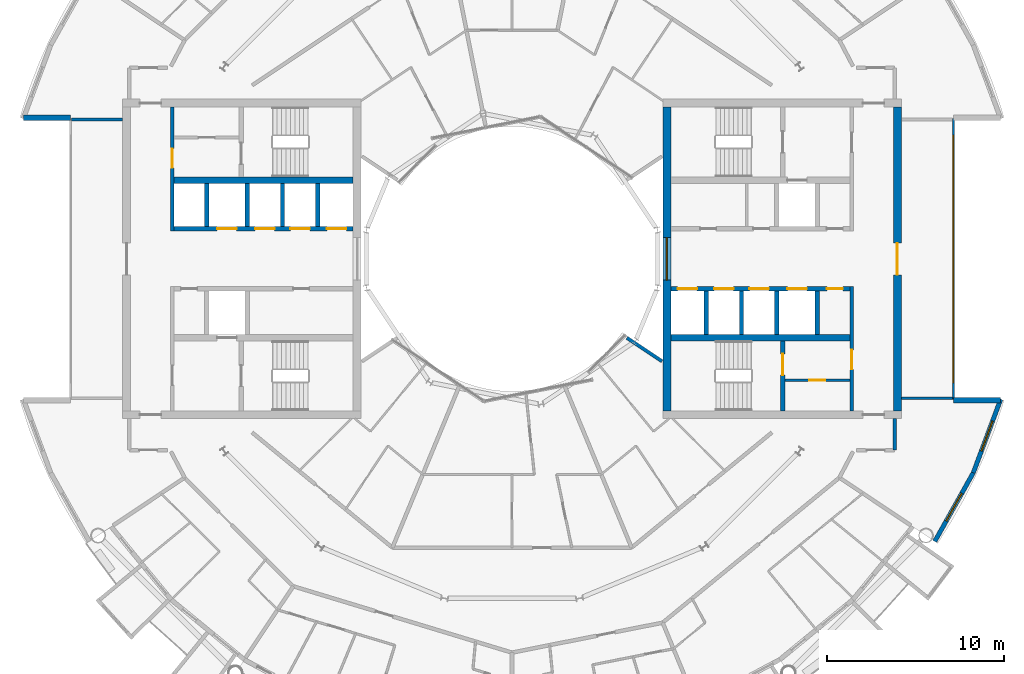
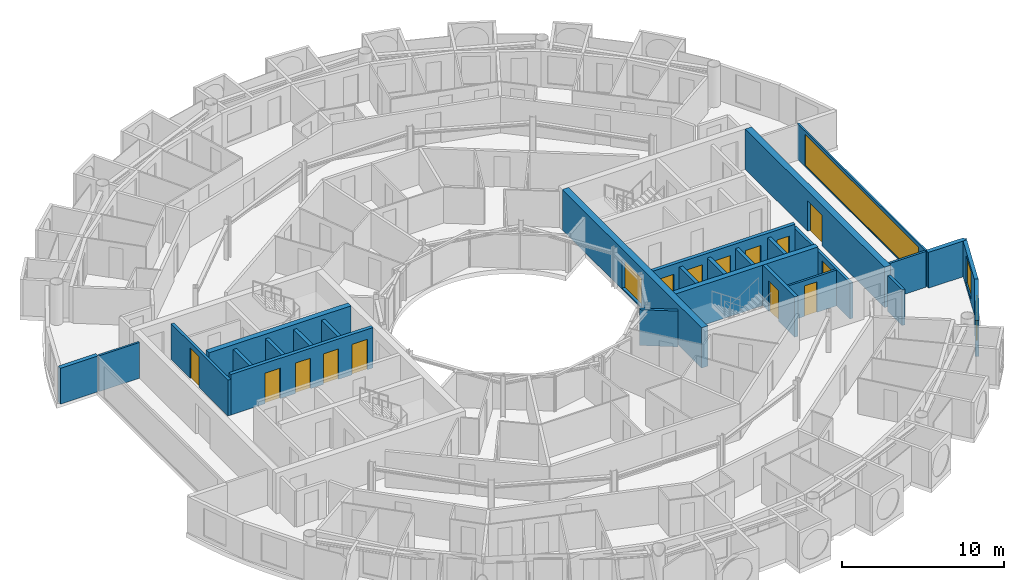
# One storey, part 19 of 28: 27 walls, 14 doors, 4 windows, 18 openings.
"""IFC4 building model written with IfcOpenShell, lengths in metres."""

from ifc_helpers import new_model, si_unit, direction, frame, frame_2d, origin, place, context, subcontext, project, spatial, rectangle, extrude, material, layer, layer_set, type_object, element, fill, save


model = new_model("IFC4")

# Units and contexts
model_context = context("Model", 3, precision=1e-05, world=origin(), true_north=direction((0.0, 1.0)))
body_context = subcontext(model_context, "Body", "Model", "MODEL_VIEW")
ifc_project = project(units=[si_unit("LENGTHUNIT", "METRE"), si_unit("AREAUNIT", "SQUARE_METRE"), si_unit("VOLUMEUNIT", "CUBIC_METRE"), si_unit("PLANEANGLEUNIT", "RADIAN"), si_unit("MASSUNIT", "GRAM", prefix="KILO")], contexts=[model_context])

# Site, building, storey
site_placement = place(None, origin())
site = spatial("IfcSite", under=ifc_project, at=site_placement, CompositionType="ELEMENT")
building_placement = place(site_placement, origin())
building = spatial("IfcBuilding", under=site, at=building_placement, Name="Maasbend Ring Residences", CompositionType="ELEMENT")
storey_placement = place(building_placement, frame((0.0, 0.0, 196.300048828125)))
storey = spatial("IfcBuildingStorey", under=building, at=storey_placement, Name="L56", CompositionType="ELEMENT", Elevation=196.300048828125)

# Wall, openings, doors
ifc_material_1 = material(Name="Concrete C50/60", Category="concrete")
ifc_layer_1 = layer(ifc_material_1, 0.25)
ifc_layer_set_1 = layer_set([ifc_layer_1], Name="Concrete C50/60")
wall_type_1 = type_object("IfcWallType", Name="CORE WALL 250 C50/60", PredefinedType="SHEAR", material=ifc_layer_set_1)
wall_1_placement = place(storey_placement, frame((19.14990234375, -1.699951171875, 0.0), z_axis=(0.0, 0.0, 1.0), x_axis=(-1.0, 0.0, 0.0)))
wall_1 = element("IfcWall", 1, at=wall_1_placement, inside=storey, type_object=wall_type_1, Name="L56 core E wall SPS", PredefinedType="SHEAR", context=body_context, shape_type="SweptSolid", body=[
    extrude(rectangle(XDim=10.14990234375, YDim=0.25, at=frame_2d((5.074951171875, 0.0))), origin(), (0.0, 0.0, 1.0), 3.050048828125),
])
opening_1_placement = place(wall_1_placement, frame((8.66259765625, 0.0, 0.0)))
opening_1 = element("IfcOpeningElement", 2, at=opening_1_placement, cuts=wall_1, Name="Opening LD-E5602", PredefinedType="OPENING", context=body_context, shape_type="SweptSolid", body=[
    extrude(rectangle(XDim=1.10009765625, YDim=2.300048828125, at=frame_2d((0.550048828125, 1.14990234375))), frame((0.0, 0.135009765625, 0.0), z_axis=(0.0, -1.0, 0.0), x_axis=(1.0, 0.0, 0.0)), (0.0, 0.0, 1.0), 0.27001953125),
])
opening_2_placement = place(wall_1_placement, frame((6.60009765625, 0.0, 0.0)))
opening_2 = element("IfcOpeningElement", 3, at=opening_2_placement, cuts=wall_1, Name="Opening LD-E5603", PredefinedType="OPENING", context=body_context, shape_type="SweptSolid", body=[
    extrude(rectangle(XDim=1.10009765625, YDim=2.300048828125, at=frame_2d((0.550048828125, 1.14990234375))), frame((0.0, 0.135009765625, 0.0), z_axis=(0.0, -1.0, 0.0), x_axis=(1.0, 0.0, 0.0)), (0.0, 0.0, 1.0), 0.27001953125),
])
opening_3_placement = place(wall_1_placement, frame((4.60009765625, 0.0, 0.0)))
opening_3 = element("IfcOpeningElement", 4, at=opening_3_placement, cuts=wall_1, Name="Opening LD-E5604", PredefinedType="OPENING", context=body_context, shape_type="SweptSolid", body=[
    extrude(rectangle(XDim=1.10009765625, YDim=2.300048828125, at=frame_2d((0.550048828125, 1.14990234375))), frame((0.0, 0.135009765625, 0.0), z_axis=(0.0, -1.0, 0.0), x_axis=(1.0, 0.0, 0.0)), (0.0, 0.0, 1.0), 0.27001953125),
])
opening_4_placement = place(wall_1_placement, frame((2.449951171875, 0.0, 0.0)))
opening_4 = element("IfcOpeningElement", 5, at=opening_4_placement, cuts=wall_1, Name="Opening LD-E5605", PredefinedType="OPENING", context=body_context, shape_type="SweptSolid", body=[
    extrude(rectangle(XDim=1.10009765625, YDim=2.300048828125, at=frame_2d((0.550048828125, 1.14990234375))), frame((0.0, 0.135009765625, 0.0), z_axis=(0.0, -1.0, 0.0), x_axis=(1.0, 0.0, 0.0)), (0.0, 0.0, 1.0), 0.27001953125),
])
opening_5_placement = place(wall_1_placement, frame((0.41259765625, 0.0, 0.0)))
opening_5 = element("IfcOpeningElement", 6, at=opening_5_placement, cuts=wall_1, Name="Opening D-E5609", PredefinedType="OPENING", context=body_context, shape_type="SweptSolid", body=[
    extrude(rectangle(XDim=0.89990234375, YDim=2.300048828125, at=frame_2d((0.449951171875, 1.14990234375))), frame((0.0, 0.135009765625, 0.0), z_axis=(0.0, -1.0, 0.0), x_axis=(1.0, 0.0, 0.0)), (0.0, 0.0, 1.0), 0.27001953125),
])
ifc_material_2 = material(Name="Stainless steel 316", Category="steel")
door_type_1 = type_object("IfcDoorType", Name="LANDING DOOR 1100 X 2300 FD60", OperationType="DOUBLE_DOOR_SLIDING", PredefinedType="DOOR", material=ifc_material_2)
door_1_placement = place(opening_1_placement, origin())
door_1 = element("IfcDoor", 7, at=door_1_placement, inside=storey, type_object=door_type_1, Name="Landing door HR-E1 L56", OperationType="DOUBLE_DOOR_SLIDING", OverallHeight=2.300048828125, OverallWidth=1.10009765625, PredefinedType="DOOR", context=body_context, shape_type="SweptSolid", body=[
    extrude(rectangle(XDim=1.10009765625, YDim=2.300048828125, at=frame_2d((0.550048828125, 1.14990234375))), frame((0.0, 0.02490234375, 0.0), z_axis=(0.0, -1.0, 0.0), x_axis=(1.0, 0.0, 0.0)), (0.0, 0.0, 1.0), 0.050048828125),
])
fill(opening_1, door_1)
door_2_placement = place(opening_2_placement, origin())
door_2 = element("IfcDoor", 8, at=door_2_placement, inside=storey, type_object=door_type_1, Name="Landing door HR-E2 L56", OperationType="DOUBLE_DOOR_SLIDING", OverallHeight=2.300048828125, OverallWidth=1.10009765625, PredefinedType="DOOR", context=body_context, shape_type="SweptSolid", body=[
    extrude(rectangle(XDim=1.10009765625, YDim=2.300048828125, at=frame_2d((0.550048828125, 1.14990234375))), frame((0.0, 0.02490234375, 0.0), z_axis=(0.0, -1.0, 0.0), x_axis=(1.0, 0.0, 0.0)), (0.0, 0.0, 1.0), 0.050048828125),
])
fill(opening_2, door_2)
door_3_placement = place(opening_3_placement, origin())
door_3 = element("IfcDoor", 9, at=door_3_placement, inside=storey, type_object=door_type_1, Name="Landing door HR-E3 L56", OperationType="DOUBLE_DOOR_SLIDING", OverallHeight=2.300048828125, OverallWidth=1.10009765625, PredefinedType="DOOR", context=body_context, shape_type="SweptSolid", body=[
    extrude(rectangle(XDim=1.10009765625, YDim=2.300048828125, at=frame_2d((0.550048828125, 1.14990234375))), frame((0.0, 0.02490234375, 0.0), z_axis=(0.0, -1.0, 0.0), x_axis=(1.0, 0.0, 0.0)), (0.0, 0.0, 1.0), 0.050048828125),
])
fill(opening_3, door_3)
door_4_placement = place(opening_4_placement, origin())
door_4 = element("IfcDoor", 10, at=door_4_placement, inside=storey, type_object=door_type_1, Name="Landing door SV-E L56", OperationType="DOUBLE_DOOR_SLIDING", OverallHeight=2.300048828125, OverallWidth=1.10009765625, PredefinedType="DOOR", context=body_context, shape_type="SweptSolid", body=[
    extrude(rectangle(XDim=1.10009765625, YDim=2.300048828125, at=frame_2d((0.550048828125, 1.14990234375))), frame((0.0, 0.02490234375, 0.0), z_axis=(0.0, -1.0, 0.0), x_axis=(1.0, 0.0, 0.0)), (0.0, 0.0, 1.0), 0.050048828125),
])
fill(opening_4, door_4)
ifc_material_3 = material(Name="Steel, powder coated", Category="steel")
door_type_2 = type_object("IfcDoorType", Name="ROOM DOOR 900 X 2300 FD30S", OperationType="NOTDEFINED", PredefinedType="DOOR", material=ifc_material_3)
door_5_placement = place(opening_5_placement, origin())
door_5 = element("IfcDoor", 11, at=door_5_placement, inside=storey, type_object=door_type_2, Name="Room door L56", OperationType="SINGLE_SWING_RIGHT", OverallHeight=2.300048828125, OverallWidth=0.89990234375, PredefinedType="DOOR", context=body_context, shape_type="SweptSolid", body=[
    extrude(rectangle(XDim=0.89990234375, YDim=2.300048828125, at=frame_2d((0.449951171875, 1.14990234375))), frame((0.0, 0.02490234375, 0.0), z_axis=(0.0, -1.0, 0.0), x_axis=(1.0, 0.0, 0.0)), (0.0, 0.0, 1.0), 0.050048828125),
])
fill(opening_5, door_5)

# Wall, opening, door
wall_2_placement = place(storey_placement, frame((15.324951171875, -8.60009765625, 0.0), z_axis=(0.0, 0.0, 1.0), x_axis=(0.0, 1.0, 0.0)))
wall_2 = element("IfcWall", 12, at=wall_2_placement, inside=storey, type_object=wall_type_1, Name="L56 core E wall STES", PredefinedType="SHEAR", context=body_context, shape_type="SweptSolid", body=[
    extrude(rectangle(XDim=3.9501953125, YDim=0.25, at=frame_2d((1.97509765625, 0.0))), origin(), (0.0, 0.0, 1.0), 3.050048828125),
])
opening_6_placement = place(wall_2_placement, frame((2.02490234375, 0.0, 0.0)))
opening_6 = element("IfcOpeningElement", 13, at=opening_6_placement, cuts=wall_2, Name="Opening D-E5612", PredefinedType="OPENING", context=body_context, shape_type="SweptSolid", body=[
    extrude(rectangle(XDim=1.199951171875, YDim=2.300048828125, at=frame_2d((0.60009765625, 1.14990234375))), frame((0.0, 0.135009765625, 0.0), z_axis=(0.0, -1.0, 0.0), x_axis=(1.0, 0.0, 0.0)), (0.0, 0.0, 1.0), 0.27001953125),
])
ifc_material_4 = material(Name="Steel, powder coated", Category="steel")
door_type_3 = type_object("IfcDoorType", Name="STAIR DOOR 1200 X 2300 FD60", OperationType="NOTDEFINED", PredefinedType="DOOR", material=ifc_material_4)
door_6_placement = place(opening_6_placement, origin())
door_6 = element("IfcDoor", 14, at=door_6_placement, inside=storey, type_object=door_type_3, Name="Stair door ST-E L56", OperationType="SINGLE_SWING_LEFT", OverallHeight=2.300048828125, OverallWidth=1.199951171875, PredefinedType="DOOR", context=body_context, shape_type="SweptSolid", body=[
    extrude(rectangle(XDim=1.199951171875, YDim=2.300048828125, at=frame_2d((0.60009765625, 1.14990234375))), frame((0.0, 0.02490234375, 0.0), z_axis=(0.0, -1.0, 0.0), x_axis=(1.0, 0.0, 0.0)), (0.0, 0.0, 1.0), 0.050048828125),
])
fill(opening_6, door_6)

# Wall, openings, doors
wall_3_placement = place(storey_placement, frame((-9.0, 1.699951171875, 0.0), z_axis=(0.0, 0.0, 1.0), x_axis=(-1.0, 0.0, 0.0)))
wall_3 = element("IfcWall", 15, at=wall_3_placement, inside=storey, type_object=wall_type_1, Name="L56 core W wall SPS", PredefinedType="SHEAR", context=body_context, shape_type="SweptSolid", body=[
    extrude(rectangle(XDim=10.14990234375, YDim=0.25, at=frame_2d((5.074951171875, 0.0))), origin(), (0.0, 0.0, 1.0), 3.050048828125),
])
opening_7_placement = place(wall_3_placement, frame((0.387451171875, 0.0, 0.0)))
opening_7 = element("IfcOpeningElement", 16, at=opening_7_placement, cuts=wall_3, Name="Opening LD-W5602", PredefinedType="OPENING", context=body_context, shape_type="SweptSolid", body=[
    extrude(rectangle(XDim=1.10009765625, YDim=2.300048828125, at=frame_2d((0.550048828125, 1.14990234375))), frame((0.0, 0.135009765625, 0.0), z_axis=(0.0, -1.0, 0.0), x_axis=(1.0, 0.0, 0.0)), (0.0, 0.0, 1.0), 0.27001953125),
])
opening_8_placement = place(wall_3_placement, frame((2.449951171875, 0.0, 0.0)))
opening_8 = element("IfcOpeningElement", 17, at=opening_8_placement, cuts=wall_3, Name="Opening LD-W5603", PredefinedType="OPENING", context=body_context, shape_type="SweptSolid", body=[
    extrude(rectangle(XDim=1.10009765625, YDim=2.300048828125, at=frame_2d((0.550048828125, 1.14990234375))), frame((0.0, 0.135009765625, 0.0), z_axis=(0.0, -1.0, 0.0), x_axis=(1.0, 0.0, 0.0)), (0.0, 0.0, 1.0), 0.27001953125),
])
opening_9_placement = place(wall_3_placement, frame((4.449951171875, 0.0, 0.0)))
opening_9 = element("IfcOpeningElement", 18, at=opening_9_placement, cuts=wall_3, Name="Opening LD-W5604", PredefinedType="OPENING", context=body_context, shape_type="SweptSolid", body=[
    extrude(rectangle(XDim=1.10009765625, YDim=2.300048828125, at=frame_2d((0.550048828125, 1.14990234375))), frame((0.0, 0.135009765625, 0.0), z_axis=(0.0, -1.0, 0.0), x_axis=(1.0, 0.0, 0.0)), (0.0, 0.0, 1.0), 0.27001953125),
])
opening_10_placement = place(wall_3_placement, frame((6.60009765625, 0.0, 0.0)))
opening_10 = element("IfcOpeningElement", 19, at=opening_10_placement, cuts=wall_3, Name="Opening LD-W5605", PredefinedType="OPENING", context=body_context, shape_type="SweptSolid", body=[
    extrude(rectangle(XDim=1.10009765625, YDim=2.300048828125, at=frame_2d((0.550048828125, 1.14990234375))), frame((0.0, 0.135009765625, 0.0), z_axis=(0.0, -1.0, 0.0), x_axis=(1.0, 0.0, 0.0)), (0.0, 0.0, 1.0), 0.27001953125),
])
door_7_placement = place(opening_7_placement, origin())
door_7 = element("IfcDoor", 20, at=door_7_placement, inside=storey, type_object=door_type_1, Name="Landing door HR-W1 L56", OperationType="DOUBLE_DOOR_SLIDING", OverallHeight=2.300048828125, OverallWidth=1.10009765625, PredefinedType="DOOR", context=body_context, shape_type="SweptSolid", body=[
    extrude(rectangle(XDim=1.10009765625, YDim=2.300048828125, at=frame_2d((0.550048828125, 1.14990234375))), frame((0.0, 0.02490234375, 0.0), z_axis=(0.0, -1.0, 0.0), x_axis=(1.0, 0.0, 0.0)), (0.0, 0.0, 1.0), 0.050048828125),
])
fill(opening_7, door_7)
door_8_placement = place(opening_8_placement, origin())
door_8 = element("IfcDoor", 21, at=door_8_placement, inside=storey, type_object=door_type_1, Name="Landing door HR-W2 L56", OperationType="DOUBLE_DOOR_SLIDING", OverallHeight=2.300048828125, OverallWidth=1.10009765625, PredefinedType="DOOR", context=body_context, shape_type="SweptSolid", body=[
    extrude(rectangle(XDim=1.10009765625, YDim=2.300048828125, at=frame_2d((0.550048828125, 1.14990234375))), frame((0.0, 0.02490234375, 0.0), z_axis=(0.0, -1.0, 0.0), x_axis=(1.0, 0.0, 0.0)), (0.0, 0.0, 1.0), 0.050048828125),
])
fill(opening_8, door_8)
door_9_placement = place(opening_9_placement, origin())
door_9 = element("IfcDoor", 22, at=door_9_placement, inside=storey, type_object=door_type_1, Name="Landing door HR-W3 L56", OperationType="DOUBLE_DOOR_SLIDING", OverallHeight=2.300048828125, OverallWidth=1.10009765625, PredefinedType="DOOR", context=body_context, shape_type="SweptSolid", body=[
    extrude(rectangle(XDim=1.10009765625, YDim=2.300048828125, at=frame_2d((0.550048828125, 1.14990234375))), frame((0.0, 0.02490234375, 0.0), z_axis=(0.0, -1.0, 0.0), x_axis=(1.0, 0.0, 0.0)), (0.0, 0.0, 1.0), 0.050048828125),
])
fill(opening_9, door_9)
door_10_placement = place(opening_10_placement, origin())
door_10 = element("IfcDoor", 23, at=door_10_placement, inside=storey, type_object=door_type_1, Name="Landing door SV-W L56", OperationType="DOUBLE_DOOR_SLIDING", OverallHeight=2.300048828125, OverallWidth=1.10009765625, PredefinedType="DOOR", context=body_context, shape_type="SweptSolid", body=[
    extrude(rectangle(XDim=1.10009765625, YDim=2.300048828125, at=frame_2d((0.550048828125, 1.14990234375))), frame((0.0, 0.02490234375, 0.0), z_axis=(0.0, -1.0, 0.0), x_axis=(1.0, 0.0, 0.0)), (0.0, 0.0, 1.0), 0.050048828125),
])
fill(opening_10, door_10)

# Walls
ifc_material_5 = material(Name="Concrete C50/60", Category="concrete")
ifc_layer_2 = layer(ifc_material_5, 0.375)
ifc_layer_set_2 = layer_set([ifc_layer_2], Name="Concrete C50/60")
wall_type_2 = type_object("IfcWallType", Name="CORE WALL 375 C50/60", PredefinedType="SHEAR", material=ifc_layer_set_2)
for number, where, z_axis, x_axis, name in (
    (24, (9.0, -4.46240234375, 0.0), (0.0, 0.0, 1.0), (1.0, 0.0, 0.0), "L56 core E wall BS"),
    (25, (-9.0, 4.46240234375, 0.0), (0.0, 0.0, 1.0), (-1.0, 0.0, 0.0), "L56 core W wall BS"),
):
    element("IfcWall", number, at=place(storey_placement, frame(where, z_axis=z_axis, x_axis=x_axis)), inside=storey, type_object=wall_type_2, Name=name, PredefinedType="SHEAR", context=body_context, shape_type="SweptSolid", body=[
        extrude(rectangle(XDim=10.14990234375, YDim=0.375, at=frame_2d((5.074951171875, 0.0))), origin(), (0.0, 0.0, 1.0), 3.050048828125),
    ])

# Wall, opening, door
ifc_material_6 = material(Name="Concrete C50/60", Category="concrete")
ifc_layer_3 = layer(ifc_material_6, 0.449951171875)
ifc_layer_set_3 = layer_set([ifc_layer_3], Name="Concrete C50/60")
wall_type_3 = type_object("IfcWallType", Name="CORE WALL 450 C50/60", PredefinedType="SHEAR", material=ifc_layer_set_3)
wall_4_placement = place(storey_placement, frame((21.824951171875, 8.60009765625, 0.0), z_axis=(0.0, 0.0, 1.0), x_axis=(0.0, -1.0, 0.0)))
wall_4 = element("IfcWall", 26, at=wall_4_placement, inside=storey, type_object=wall_type_3, Name="L56 core E wall POUT", PredefinedType="SHEAR", context=body_context, shape_type="SweptSolid", body=[
    extrude(rectangle(XDim=17.2001953125, YDim=0.449951171875, at=frame_2d((8.60009765625, 0.0))), origin(), (0.0, 0.0, 1.0), 3.050048828125),
])
opening_11_placement = place(wall_4_placement, frame((7.699951171875, 0.0, 0.0)))
opening_11 = element("IfcOpeningElement", 27, at=opening_11_placement, cuts=wall_4, Name="Opening D-E5617", PredefinedType="OPENING", context=body_context, shape_type="SweptSolid", body=[
    extrude(rectangle(XDim=1.800048828125, YDim=2.300048828125, at=frame_2d((0.89990234375, 1.14990234375))), frame((0.0, 0.23486328125, 0.0), z_axis=(0.0, -1.0, 0.0), x_axis=(1.0, 0.0, 0.0)), (0.0, 0.0, 1.0), 0.469970703125),
])
ifc_material_7 = material(Name="Aluminium frame, clear glass", Category="aluminium")
door_type_4 = type_object("IfcDoorType", Name="ENTRANCE DOOR 1800 X 2300 FD60", OperationType="NOTDEFINED", PredefinedType="DOOR", material=ifc_material_7)
door_11_placement = place(opening_11_placement, origin())
door_11 = element("IfcDoor", 28, at=door_11_placement, inside=storey, type_object=door_type_4, Name="Lobby glazed door L56", OperationType="SINGLE_SWING_LEFT", OverallHeight=2.300048828125, OverallWidth=1.800048828125, PredefinedType="DOOR", context=body_context, shape_type="SweptSolid", body=[
    extrude(rectangle(XDim=1.800048828125, YDim=2.300048828125, at=frame_2d((0.89990234375, 1.14990234375))), frame((0.0, 0.02490234375, 0.0), z_axis=(0.0, -1.0, 0.0), x_axis=(1.0, 0.0, 0.0)), (0.0, 0.0, 1.0), 0.050048828125),
])
fill(opening_11, door_11)

# Wall, opening, window
wall_5_placement = place(storey_placement, frame((8.77490234375, -8.60009765625, 0.0), z_axis=(0.0, 0.0, 1.0), x_axis=(0.0, 1.0, 0.0)))
wall_5 = element("IfcWall", 29, at=wall_5_placement, inside=storey, type_object=wall_type_3, Name="L56 core E wall PIN", PredefinedType="SHEAR", context=body_context, shape_type="SweptSolid", body=[
    extrude(rectangle(XDim=17.2001953125, YDim=0.449951171875, at=frame_2d((8.60009765625, 0.0))), origin(), (0.0, 0.0, 1.0), 3.050048828125),
])
opening_12_placement = place(wall_5_placement, frame((7.39990234375, 0.0, 0.10009765625)))
opening_12 = element("IfcOpeningElement", 30, at=opening_12_placement, cuts=wall_5, Name="Opening W-E5601", PredefinedType="OPENING", context=body_context, shape_type="SweptSolid", body=[
    extrude(rectangle(XDim=2.39990234375, YDim=2.199951171875, at=frame_2d((1.199951171875, 1.10009765625))), frame((0.0, 0.23486328125, 0.0), z_axis=(0.0, -1.0, 0.0), x_axis=(1.0, 0.0, 0.0)), (0.0, 0.0, 1.0), 0.469970703125),
])
ifc_material_8 = material(Name="Aluminium frame and clear glass", Category="aluminium")
window_type_1 = type_object("IfcWindowType", Name="FIXED WINDOW 2400 X 2200", PartitioningType="SINGLE_PANEL", PredefinedType="WINDOW", material=ifc_material_8)
window_1_placement = place(opening_12_placement, origin())
window_1 = element("IfcWindow", 31, at=window_1_placement, inside=storey, type_object=window_type_1, Name="Lobby window L56", OverallHeight=2.199951171875, OverallWidth=2.39990234375, PartitioningType="SINGLE_PANEL", PredefinedType="WINDOW", context=body_context, shape_type="SweptSolid", body=[
    extrude(rectangle(XDim=2.39990234375, YDim=2.199951171875, at=frame_2d((1.199951171875, 1.10009765625))), frame((0.0, 0.030029296875, 0.0), z_axis=(0.0, -1.0, 0.0), x_axis=(1.0, 0.0, 0.0)), (0.0, 0.0, 1.0), 0.06005859375),
])
fill(opening_12, window_1)

# Wall
ifc_material_9 = material(Name="Concrete C30/37", Category="concrete")
ifc_layer_4 = layer(ifc_material_9, 0.199951171875)
ifc_layer_set_4 = layer_set([ifc_layer_4], Name="Concrete C30/37")
wall_type_4 = type_object("IfcWallType", Name="CORRIDOR WALL 200 CONCRETE", PredefinedType="PARTITIONING", material=ifc_layer_set_4)
wall_6_placement = place(storey_placement, frame((21.675048828125, -10.824951171875, 0.0), z_axis=(0.0, 0.0, 1.0), x_axis=(0.0, 1.0, 0.0)))
element("IfcWall", 32, at=wall_6_placement, inside=storey, type_object=wall_type_4, Name="U-L56-w013", PredefinedType="PARTITIONING", context=body_context, shape_type="SweptSolid", body=[
    extrude(rectangle(XDim=1.77490234375, YDim=0.199951171875, at=frame_2d((0.887451171875, 0.0))), origin(), (0.0, 0.0, 1.0), 2.699951171875),
])

# Wall, opening, window
ifc_material_10 = material(Name="Aluminium clad insulated panel", Category="aluminium")
ifc_layer_5 = layer(ifc_material_10, 0.25)
ifc_layer_set_5 = layer_set([ifc_layer_5], Name="EW-HORN")
wall_type_5 = type_object("IfcWallType", Name="EW-HORN", PredefinedType="SOLIDWALL", material=ifc_layer_set_5)
wall_7_placement = place(storey_placement, frame((23.946044921875, -16.0, 0.0), z_axis=(0.0, 0.0, 1.0), x_axis=(0.489696356642, 0.871893042919, 0.0)))
wall_7 = element("IfcWall", 33, at=wall_7_placement, inside=storey, type_object=wall_type_5, Name="Horn wall 2.1", PredefinedType="SOLIDWALL", context=body_context, shape_type="SweptSolid", body=[
    extrude(rectangle(XDim=4.45361328125, YDim=0.25, at=frame_2d((2.226806640625, 0.0))), origin(), (0.0, 0.0, 1.0), 2.699951171875),
])
opening_13_placement = place(wall_7_placement, frame((1.32666015625, 0.0, 0.300048828125)))
opening_13 = element("IfcOpeningElement", 34, at=opening_13_placement, cuts=wall_7, Name="Opening W-BX", PredefinedType="OPENING", context=body_context, shape_type="SweptSolid", body=[
    extrude(rectangle(XDim=1.800048828125, YDim=2.10009765625, at=frame_2d((0.89990234375, 1.050048828125))), frame((0.0, 0.135009765625, 0.0), z_axis=(0.0, -1.0, 0.0), x_axis=(1.0, 0.0, 0.0)), (0.0, 0.0, 1.0), 0.27001953125),
])
ifc_material_11 = material(Name="Aluminium and clear glass", Category="aluminium")
window_type_2 = type_object("IfcWindowType", Name="W-BX", PartitioningType="DOUBLE_PANEL_VERTICAL", PredefinedType="WINDOW", material=ifc_material_11)
window_2_placement = place(opening_13_placement, origin())
window_2 = element("IfcWindow", 35, at=window_2_placement, inside=storey, type_object=window_type_2, Name="Horn window 2.1", OverallHeight=2.10009765625, OverallWidth=1.800048828125, PartitioningType="SINGLE_PANEL", PredefinedType="WINDOW", context=body_context, shape_type="SweptSolid", body=[
    extrude(rectangle(XDim=1.800048828125, YDim=2.10009765625, at=frame_2d((0.89990234375, 1.050048828125))), frame((0.0, 0.030029296875, 0.0), z_axis=(0.0, -1.0, 0.0), x_axis=(1.0, 0.0, 0.0)), (0.0, 0.0, 1.0), 0.06005859375),
])
fill(opening_13, window_2)

wall_8_placement = place(storey_placement, frame((26.126953125, -12.116943359375, 0.0), z_axis=(0.0, 0.0, 1.0), x_axis=(0.349247811493, 0.937030397675, 0.0)))
wall_8 = element("IfcWall", 36, at=wall_8_placement, inside=storey, type_object=wall_type_5, Name="Horn wall 2.2", PredefinedType="SOLIDWALL", context=body_context, shape_type="SweptSolid", body=[
    extrude(rectangle(XDim=4.4521484375, YDim=0.25, at=frame_2d((2.22607421875, 0.0))), origin(), (0.0, 0.0, 1.0), 2.699951171875),
])
opening_14_placement = place(wall_8_placement, frame((1.32666015625, 0.0, 0.300048828125)))
opening_14 = element("IfcOpeningElement", 37, at=opening_14_placement, cuts=wall_8, Name="Opening W-BX", PredefinedType="OPENING", context=body_context, shape_type="SweptSolid", body=[
    extrude(rectangle(XDim=1.800048828125, YDim=2.10009765625, at=frame_2d((0.89990234375, 1.050048828125))), frame((0.0, 0.135009765625, 0.0), z_axis=(0.0, -1.0, 0.0), x_axis=(1.0, 0.0, 0.0)), (0.0, 0.0, 1.0), 0.27001953125),
])
window_3_placement = place(opening_14_placement, origin())
window_3 = element("IfcWindow", 38, at=window_3_placement, inside=storey, type_object=window_type_2, Name="Horn window 2.2", OverallHeight=2.10009765625, OverallWidth=1.800048828125, PartitioningType="SINGLE_PANEL", PredefinedType="WINDOW", context=body_context, shape_type="SweptSolid", body=[
    extrude(rectangle(XDim=1.800048828125, YDim=2.10009765625, at=frame_2d((0.89990234375, 1.050048828125))), frame((0.0, 0.030029296875, 0.0), z_axis=(0.0, -1.0, 0.0), x_axis=(1.0, 0.0, 0.0)), (0.0, 0.0, 1.0), 0.06005859375),
])
fill(opening_14, window_3)

# Walls
ifc_material_12 = material(Name="Aluminium clad insulated panel", Category="aluminium")
ifc_layer_6 = layer(ifc_material_12, 0.300048828125)
ifc_layer_set_6 = layer_set([ifc_layer_6], Name="EW-RET")
wall_type_6 = type_object("IfcWallType", Name="EW-RET", PredefinedType="SOLIDWALL", material=ifc_layer_set_6)
for number, where, z_axis, x_axis, name in (
    (39, (25.0, -8.0, 0.0), (0.0, 0.0, 1.0), (1.0, 0.0, 0.0), "Notch return wall east south"),
    (40, (-25.0, 8.0, 0.0), (0.0, 0.0, 1.0), (-1.0, 0.0, 0.0), "Notch return wall west north"),
):
    element("IfcWall", number, at=place(storey_placement, frame(where, z_axis=z_axis, x_axis=x_axis)), inside=storey, type_object=wall_type_6, Name=name, PredefinedType="SOLIDWALL", context=body_context, shape_type="SweptSolid", body=[
        extrude(rectangle(XDim=2.6669921875, YDim=0.300048828125, at=frame_2d((1.33349609375, 0.0))), origin(), (0.0, 0.0, 1.0), 2.699951171875),
    ])

# Wall, opening, window
ifc_material_13 = material(Name="Aluminium frame and clear glass", Category="aluminium")
ifc_layer_7 = layer(ifc_material_13, 0.1201171875)
ifc_layer_set_7 = layer_set([ifc_layer_7], Name="GLAZED SCREEN WALL 120 EI 60")
wall_type_7 = type_object("IfcWallType", Name="GLAZED SCREEN WALL 120 EI 60", PredefinedType="PARTITIONING", material=ifc_layer_set_7)
wall_9_placement = place(storey_placement, frame((25.0, -7.949951171875, 0.0), z_axis=(0.0, 0.0, 1.0), x_axis=(0.0, 1.0, 0.0)))
wall_9 = element("IfcWall", 41, at=wall_9_placement, inside=storey, type_object=wall_type_7, Name="L56 core E wall FACE", PredefinedType="PARTITIONING", context=body_context, shape_type="SweptSolid", body=[
    extrude(rectangle(XDim=15.89990234375, YDim=0.1201171875, at=frame_2d((7.949951171875, 0.0))), origin(), (0.0, 0.0, 1.0), 2.699951171875),
])
opening_15_placement = place(wall_9_placement, frame((0.949951171875, 0.0, 0.10009765625)))
opening_15 = element("IfcOpeningElement", 42, at=opening_15_placement, cuts=wall_9, Name="Opening W-E5602", PredefinedType="OPENING", context=body_context, shape_type="SweptSolid", body=[
    extrude(rectangle(XDim=14.0, YDim=2.35009765625, at=frame_2d((7.0, 1.175048828125))), frame((0.0, 0.070068359375, 0.0), z_axis=(0.0, -1.0, 0.0), x_axis=(1.0, 0.0, 0.0)), (0.0, 0.0, 1.0), 0.14013671875),
])
ifc_material_14 = material(Name="Aluminium frame and clear glass", Category="aluminium")
window_type_3 = type_object("IfcWindowType", Name="FIXED WINDOW 14000 X 2350", PartitioningType="SINGLE_PANEL", PredefinedType="WINDOW", material=ifc_material_14)
window_4_placement = place(opening_15_placement, origin())
window_4 = element("IfcWindow", 43, at=window_4_placement, inside=storey, type_object=window_type_3, Name="Lobby window L56", OverallHeight=2.35009765625, OverallWidth=14.0, PartitioningType="SINGLE_PANEL", PredefinedType="WINDOW", context=body_context, shape_type="SweptSolid", body=[
    extrude(rectangle(XDim=14.0, YDim=2.35009765625, at=frame_2d((7.0, 1.175048828125))), frame((0.0, 0.030029296875, 0.0), z_axis=(0.0, -1.0, 0.0), x_axis=(1.0, 0.0, 0.0)), (0.0, 0.0, 1.0), 0.06005859375),
])
fill(opening_15, window_4)

# Wall, opening, door
ifc_material_15 = material(Name="Gypsum board on steel studs", Category="steel")
ifc_layer_8 = layer(ifc_material_15, 0.14990234375)
ifc_layer_set_8 = layer_set([ifc_layer_8], Name="PARTITION 150 EI 60")
wall_type_8 = type_object("IfcWallType", Name="PARTITION 150 EI 60", PredefinedType="PARTITIONING", material=ifc_layer_set_8)
wall_10_placement = place(storey_placement, frame((15.449951171875, -6.875, 0.0), z_axis=(0.0, 0.0, 1.0), x_axis=(1.0, 0.0, 0.0)))
wall_10 = element("IfcWall", 44, at=wall_10_placement, inside=storey, type_object=wall_type_8, Name="L56 core E wall RHS", PredefinedType="PARTITIONING", context=body_context, shape_type="SweptSolid", body=[
    extrude(rectangle(XDim=3.699951171875, YDim=0.14990234375, at=frame_2d((1.85009765625, 0.0))), origin(), (0.0, 0.0, 1.0), 2.699951171875),
])
opening_16_placement = place(wall_10_placement, frame((1.39990234375, 0.0, 0.0)))
opening_16 = element("IfcOpeningElement", 45, at=opening_16_placement, cuts=wall_10, Name="Opening D-E5610", PredefinedType="OPENING", context=body_context, shape_type="SweptSolid", body=[
    extrude(rectangle(XDim=0.89990234375, YDim=2.300048828125, at=frame_2d((0.449951171875, 1.14990234375))), frame((0.0, 0.0849609375, 0.0), z_axis=(0.0, -1.0, 0.0), x_axis=(1.0, 0.0, 0.0)), (0.0, 0.0, 1.0), 0.169921875),
])
ifc_material_16 = material(Name="Steel, powder coated", Category="steel")
door_type_5 = type_object("IfcDoorType", Name="RISER DOOR 900 X 2300 FD60", OperationType="NOTDEFINED", PredefinedType="DOOR", material=ifc_material_16)
door_12_placement = place(opening_16_placement, origin())
door_12 = element("IfcDoor", 46, at=door_12_placement, inside=storey, type_object=door_type_5, Name="Riser door L56", OperationType="SINGLE_SWING_LEFT", OverallHeight=2.300048828125, OverallWidth=0.89990234375, PredefinedType="DOOR", context=body_context, shape_type="SweptSolid", body=[
    extrude(rectangle(XDim=0.89990234375, YDim=2.300048828125, at=frame_2d((0.449951171875, 1.14990234375))), frame((0.0, 0.02490234375, 0.0), z_axis=(0.0, -1.0, 0.0), x_axis=(1.0, 0.0, 0.0)), (0.0, 0.0, 1.0), 0.050048828125),
])
fill(opening_16, door_12)

# Walls
for number, where, z_axis, x_axis, name in (
    (47, (22.050048828125, -7.89990234375, 0.0), (0.0, 0.0, 1.0), (1.0, 0.0, 0.0), "L56 core E wall CITS"),
    (48, (-22.050048828125, 7.89990234375, 0.0), (0.0, 0.0, 1.0), (-1.0, 0.0, 0.0), "L56 core W wall CITS"),
):
    element("IfcWall", number, at=place(storey_placement, frame(where, z_axis=z_axis, x_axis=x_axis)), inside=storey, type_object=wall_type_8, Name=name, PredefinedType="PARTITIONING", context=body_context, shape_type="SweptSolid", body=[
        extrude(rectangle(XDim=2.889892578125, YDim=0.14990234375, at=frame_2d((1.44482421875, 0.0))), origin(), (0.0, 0.0, 1.0), 2.699951171875),
    ])
ifc_material_17 = material(Name="Concrete C30/37", Category="concrete")
ifc_layer_9 = layer(ifc_material_17, 0.199951171875)
ifc_layer_set_9 = layer_set([ifc_layer_9], Name="Concrete C30/37")
wall_type_9 = type_object("IfcWallType", Name="PARTY WALL 200 CONCRETE", PredefinedType="PARTITIONING", material=ifc_layer_set_9)
wall_11_placement = place(storey_placement, frame((6.512939453125, -4.471923828125, 0.0), z_axis=(0.0, 0.0, 1.0), x_axis=(0.831403409976, -0.555669299026, 0.0)))
element("IfcWall", 49, at=wall_11_placement, inside=storey, type_object=wall_type_9, Name="U-L56-w029", PredefinedType="PARTITIONING", context=body_context, shape_type="SweptSolid", body=[
    extrude(rectangle(XDim=2.382568359375, YDim=0.199951171875, at=frame_2d((1.19140625, 0.0))), origin(), (0.0, 0.0, 1.0), 2.699951171875),
])

# Wall, opening, door
ifc_material_18 = material(Name="Concrete C30/37", Category="concrete")
ifc_layer_10 = layer(ifc_material_18, 0.199951171875)
ifc_layer_set_10 = layer_set([ifc_layer_10], Name="Concrete C30/37")
wall_type_10 = type_object("IfcWallType", Name="SHAFT WALL 200 EI 120", PredefinedType="SOLIDWALL", material=ifc_layer_set_10)
wall_12_placement = place(storey_placement, frame((19.25, -8.60009765625, 0.0), z_axis=(0.0, 0.0, 1.0), x_axis=(0.0, 1.0, 0.0)))
wall_12 = element("IfcWall", 50, at=wall_12_placement, inside=storey, type_object=wall_type_10, Name="L56 core E wall ENDS", PredefinedType="SOLIDWALL", context=body_context, shape_type="SweptSolid", body=[
    extrude(rectangle(XDim=7.025146484375, YDim=0.199951171875, at=frame_2d((3.5126953125, 0.0))), origin(), (0.0, 0.0, 1.0), 2.699951171875),
])
opening_17_placement = place(wall_12_placement, frame((2.35009765625, 0.0, 0.0)))
opening_17 = element("IfcOpeningElement", 51, at=opening_17_placement, cuts=wall_12, Name="Opening D-E5614", PredefinedType="OPENING", context=body_context, shape_type="SweptSolid", body=[
    extrude(rectangle(XDim=1.10009765625, YDim=2.300048828125, at=frame_2d((0.550048828125, 1.14990234375))), frame((0.0, 0.10986328125, 0.0), z_axis=(0.0, -1.0, 0.0), x_axis=(1.0, 0.0, 0.0)), (0.0, 0.0, 1.0), 0.219970703125),
])
ifc_material_19 = material(Name="Steel, powder coated", Category="steel")
door_type_6 = type_object("IfcDoorType", Name="LOBBY DOOR 1100 X 2300 FD60", OperationType="NOTDEFINED", PredefinedType="DOOR", material=ifc_material_19)
door_13_placement = place(opening_17_placement, origin())
door_13 = element("IfcDoor", 52, at=door_13_placement, inside=storey, type_object=door_type_6, Name="Lobby door L56", OperationType="SINGLE_SWING_RIGHT", OverallHeight=2.300048828125, OverallWidth=1.10009765625, PredefinedType="DOOR", context=body_context, shape_type="SweptSolid", body=[
    extrude(rectangle(XDim=1.10009765625, YDim=2.300048828125, at=frame_2d((0.550048828125, 1.14990234375))), frame((0.0, 0.02490234375, 0.0), z_axis=(0.0, -1.0, 0.0), x_axis=(1.0, 0.0, 0.0)), (0.0, 0.0, 1.0), 0.050048828125),
])
fill(opening_17, door_13)

wall_13_placement = place(storey_placement, frame((-19.25, 8.60009765625, 0.0), z_axis=(0.0, 0.0, 1.0), x_axis=(0.0, -1.0, 0.0)))
wall_13 = element("IfcWall", 53, at=wall_13_placement, inside=storey, type_object=wall_type_10, Name="L56 core W wall ENDS", PredefinedType="SOLIDWALL", context=body_context, shape_type="SweptSolid", body=[
    extrude(rectangle(XDim=7.025146484375, YDim=0.199951171875, at=frame_2d((3.5126953125, 0.0))), origin(), (0.0, 0.0, 1.0), 2.699951171875),
])
opening_18_placement = place(wall_13_placement, frame((2.35009765625, 0.0, 0.0)))
opening_18 = element("IfcOpeningElement", 54, at=opening_18_placement, cuts=wall_13, Name="Opening D-W5612", PredefinedType="OPENING", context=body_context, shape_type="SweptSolid", body=[
    extrude(rectangle(XDim=1.10009765625, YDim=2.300048828125, at=frame_2d((0.550048828125, 1.14990234375))), frame((0.0, 0.10986328125, 0.0), z_axis=(0.0, -1.0, 0.0), x_axis=(1.0, 0.0, 0.0)), (0.0, 0.0, 1.0), 0.219970703125),
])
door_14_placement = place(opening_18_placement, origin())
door_14 = element("IfcDoor", 55, at=door_14_placement, inside=storey, type_object=door_type_6, Name="Lobby door L56", OperationType="SINGLE_SWING_RIGHT", OverallHeight=2.300048828125, OverallWidth=1.10009765625, PredefinedType="DOOR", context=body_context, shape_type="SweptSolid", body=[
    extrude(rectangle(XDim=1.10009765625, YDim=2.300048828125, at=frame_2d((0.550048828125, 1.14990234375))), frame((0.0, 0.02490234375, 0.0), z_axis=(0.0, -1.0, 0.0), x_axis=(1.0, 0.0, 0.0)), (0.0, 0.0, 1.0), 0.050048828125),
])
fill(opening_18, door_14)

# Walls
ifc_material_20 = material(Name="Concrete C30/37", Category="concrete")
ifc_layer_11 = layer(ifc_material_20, 0.25)
ifc_layer_set_11 = layer_set([ifc_layer_11], Name="Concrete C30/37")
wall_type_11 = type_object("IfcWallType", Name="SHAFT WALL 250 EI 120", PredefinedType="SOLIDWALL", material=ifc_layer_set_11)
for number, where, z_axis, x_axis, name in (
    (56, (15.0, -1.824951171875, 0.0), (0.0, 0.0, 1.0), (0.0, -1.0, 0.0), "L56 core E wall D150S"),
    (57, (17.300048828125, -1.824951171875, 0.0), (0.0, 0.0, 1.0), (0.0, -1.0, 0.0), "L56 core E wall D173S"),
    (58, (11.0, -1.824951171875, 0.0), (0.0, 0.0, 1.0), (0.0, -1.0, 0.0), "L56 core E wall D110S"),
    (59, (13.0, -1.824951171875, 0.0), (0.0, 0.0, 1.0), (0.0, -1.0, 0.0), "L56 core E wall D130S"),
    (60, (-15.0, 1.824951171875, 0.0), (0.0, 0.0, 1.0), (0.0, 1.0, 0.0), "L56 core W wall D150S"),
    (61, (-17.300048828125, 1.824951171875, 0.0), (0.0, 0.0, 1.0), (0.0, 1.0, 0.0), "L56 core W wall D173S"),
    (62, (-11.0, 1.824951171875, 0.0), (0.0, 0.0, 1.0), (0.0, 1.0, 0.0), "L56 core W wall D110S"),
    (63, (-13.0, 1.824951171875, 0.0), (0.0, 0.0, 1.0), (0.0, 1.0, 0.0), "L56 core W wall D130S"),
):
    element("IfcWall", number, at=place(storey_placement, frame(where, z_axis=z_axis, x_axis=x_axis)), inside=storey, type_object=wall_type_11, Name=name, PredefinedType="SOLIDWALL", context=body_context, shape_type="SweptSolid", body=[
        extrude(rectangle(XDim=2.449951171875, YDim=0.25, at=frame_2d((1.22509765625, 0.0))), origin(), (0.0, 0.0, 1.0), 2.699951171875),
    ])

save(model, "model.ifc")
